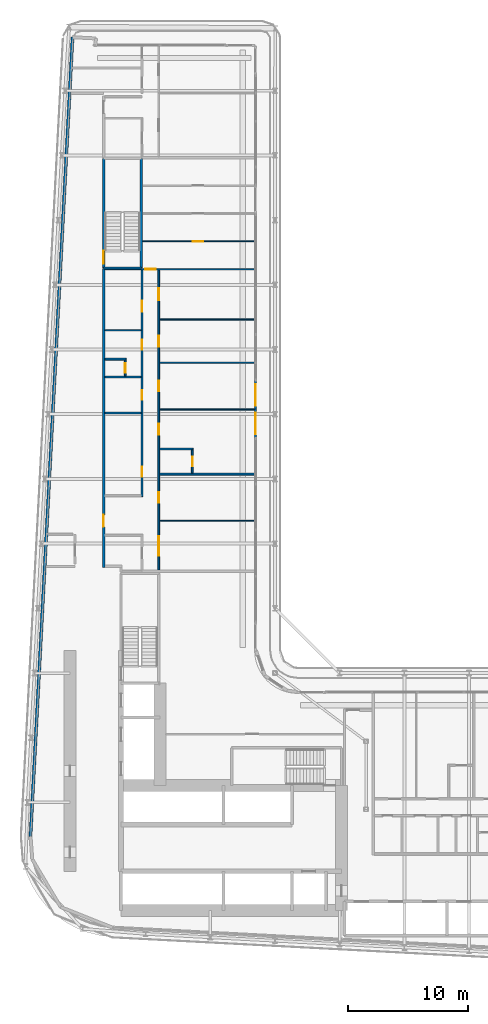
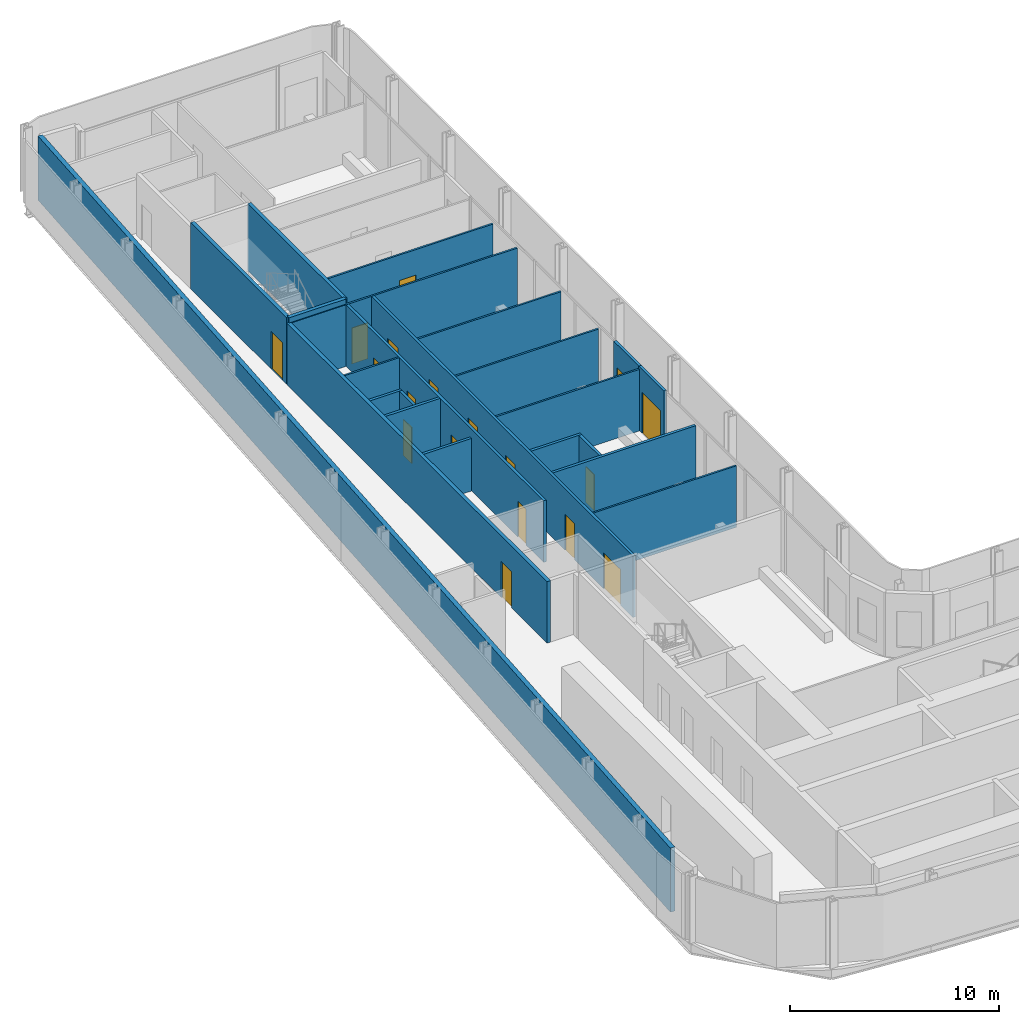
# One storey, part 18 of 29: 23 walls, 18 doors, 18 openings.
"""IFC4 building model written with IfcOpenShell, lengths in metres."""

from ifc_helpers import new_model, si_unit, direction, frame, frame_2d, origin, place, context, subcontext, project, spatial, rectangle, extrude, source, transform, mapped, material, layer, layer_set, type_object, element, fill, save


model = new_model("IFC4")

# Units and contexts
model_context = context("Model", 3, precision=1e-05, world=origin(), true_north=direction((0.0, 1.0)))
body_context = subcontext(model_context, "Body", "Model", "MODEL_VIEW")
ifc_project = project(units=[si_unit("LENGTHUNIT", "METRE"), si_unit("AREAUNIT", "SQUARE_METRE"), si_unit("VOLUMEUNIT", "CUBIC_METRE"), si_unit("PLANEANGLEUNIT", "RADIAN"), si_unit("MASSUNIT", "GRAM", prefix="KILO")], contexts=[model_context])

# Site, building, storey
site_placement = place(None, origin())
site = spatial("IfcSite", under=ifc_project, at=site_placement, CompositionType="ELEMENT")
building_placement = place(site_placement, origin())
building = spatial("IfcBuilding", under=site, at=building_placement, Name="Kheshtan School and Residences Tower", CompositionType="ELEMENT")
storey_placement = place(building_placement, frame((0.0, 0.0, 69.5)))
storey = spatial("IfcBuildingStorey", under=building, at=storey_placement, Name="L16", CompositionType="ELEMENT", Elevation=69.5)

# Wall, opening, door
ifc_material_1 = material(Name="Gypsum board on steel studs with fire boards", Category="steel")
ifc_layer_1 = layer(ifc_material_1, 0.199951171875)
ifc_layer_set_1 = layer_set([ifc_layer_1], Name="Corridor wall 200")
wall_type_1 = type_object("IfcWallType", Name="Corridor wall 200", PredefinedType="PARTITIONING", material=ifc_layer_set_1)
wall_1_placement = place(storey_placement, frame((33.300048828125, 54.39990234375, 0.0), z_axis=(0.0, 0.0, 1.0), x_axis=(0.0, 1.0, 0.0)))
wall_1 = element("IfcWall", 1, at=wall_1_placement, inside=storey, type_object=wall_type_1, Name="Partition L16-003", PredefinedType="PARTITIONING", context=body_context, shape_type="SweptSolid", body=[
    extrude(rectangle(XDim=24.9501953125, YDim=0.199951171875, at=frame_2d((12.47509765625, 0.0))), origin(), (0.0, 0.0, 1.0), 3.60009765625),
])
opening_1_placement = place(wall_1_placement, frame((3.39990234375, 0.0, 0.0)))
opening_1 = element("IfcOpeningElement", 2, at=opening_1_placement, cuts=wall_1, Name="Opening D14-039", PredefinedType="OPENING", context=body_context, shape_type="SweptSolid", body=[
    extrude(rectangle(XDim=1.0, YDim=2.10009765625, at=frame_2d((0.5, 1.050048828125))), frame((0.0, 0.10986328125, 0.0), z_axis=(0.0, -1.0, 0.0), x_axis=(1.0, 0.0, 0.0)), (0.0, 0.0, 1.0), 0.219970703125),
])
ifc_material_2 = material(Name="Steel-framed fire-resisting door leaf", Category="steel")
door_type_1 = type_object("IfcDoorType", Name="Fire door FD30S 1000 x 2100", OperationType="SINGLE_SWING_LEFT", PredefinedType="DOOR", material=ifc_material_2)
shared_shape_1 = source(origin(), body_context, "Body", "SweptSolid", [
    extrude(rectangle(XDim=1.0, YDim=2.10009765625, at=frame_2d((0.5, 1.050048828125))), frame((0.0, 0.02490234375, 0.0), z_axis=(0.0, -1.0, 0.0), x_axis=(1.0, 0.0, 0.0)), (0.0, 0.0, 1.0), 0.050048828125),
])
door_1_placement = place(opening_1_placement, origin())
door_1 = element("IfcDoor", 3, at=door_1_placement, inside=storey, type_object=door_type_1, Name="Door D14-039", OperationType="SINGLE_SWING_RIGHT", OverallHeight=2.10009765625, OverallWidth=1.0, PredefinedType="DOOR", context=body_context, shape_type="MappedRepresentation", body=[
    mapped(shared_shape_1, transform((0.0, 0.0, 0.0), x_axis=(1.0, 0.0, 0.0), y_axis=(0.0, 1.0, 0.0), z_axis=(0.0, 0.0, 1.0), scale=1.0)),
])
fill(opening_1, door_1)

# Wall
ifc_material_3 = material(Name="Concrete C40/50 with ceramic cladding and mineral wool insulation", Category="concrete")
ifc_layer_2 = layer(ifc_material_3, 0.25)
ifc_layer_set_2 = layer_set([ifc_layer_2], Name="External wall 250 ceramic clad")
wall_type_2 = type_object("IfcWallType", Name="External wall 250 ceramic clad", PredefinedType="SOLIDWALL", material=ifc_layer_set_2)
wall_2_placement = place(storey_placement, frame((27.195068359375, 31.968994140625, 0.0), z_axis=(0.0, 0.0, 1.0), x_axis=(0.052554995867, 0.998618031286, 0.0)))
element("IfcWall", 4, at=wall_2_placement, inside=storey, type_object=wall_type_2, Name="External wall L16 4", PredefinedType="SOLIDWALL", context=body_context, shape_type="SweptSolid", body=[
    extrude(rectangle(XDim=66.787353515625, YDim=0.25, at=frame_2d((33.3935546875, 0.0))), origin(), (0.0, 0.0, 1.0), 3.75),
])

# Wall, opening, door
ifc_material_4 = material(Name="Aluminium frame wall with insulated infill", Category="aluminium")
ifc_layer_3 = layer(ifc_material_4, 0.14990234375)
ifc_layer_set_3 = layer_set([ifc_layer_3], Name="Glazing frame wall 150")
wall_type_3 = type_object("IfcWallType", Name="Glazing frame wall 150", PredefinedType="SOLIDWALL", material=ifc_layer_set_3)
wall_3_placement = place(storey_placement, frame((45.97509765625, 70.01806640625, 0.0), z_axis=(0.0, 0.0, 1.0), x_axis=(0.0, -1.0, 0.0)))
wall_3 = element("IfcWall", 5, at=wall_3_placement, inside=storey, type_object=wall_type_3, Name="Balcony door wall L16 8.3", PredefinedType="SOLIDWALL", context=body_context, shape_type="SweptSolid", body=[
    extrude(rectangle(XDim=2.400146484375, YDim=0.14990234375, at=frame_2d((1.2001953125, 0.0))), origin(), (0.0, 0.0, 1.0), 3.75),
])
opening_2_placement = place(wall_3_placement, frame((0.300048828125, 0.0, 0.0)))
opening_2 = element("IfcOpeningElement", 6, at=opening_2_placement, cuts=wall_3, Name="Opening BD", PredefinedType="OPENING", context=body_context, shape_type="SweptSolid", body=[
    extrude(rectangle(XDim=1.800048828125, YDim=2.39990234375, at=frame_2d((0.89990234375, 1.199951171875))), frame((0.0, 0.0849609375, 0.0), z_axis=(0.0, -1.0, 0.0), x_axis=(1.0, 0.0, 0.0)), (0.0, 0.0, 1.0), 0.169921875),
])
ifc_material_5 = material(Name="Clear low-e glass in thermally broken aluminium frame", Category="aluminium")
door_type_2 = type_object("IfcDoorType", Name="Balcony sliding door", OperationType="SLIDING_TO_LEFT", PredefinedType="DOOR", material=ifc_material_5)
shared_shape_2 = source(origin(), body_context, "Body", "SweptSolid", [
    extrude(rectangle(XDim=1.800048828125, YDim=2.39990234375, at=frame_2d((0.89990234375, 1.199951171875))), frame((0.0, 0.02490234375, 0.0), z_axis=(0.0, -1.0, 0.0), x_axis=(1.0, 0.0, 0.0)), (0.0, 0.0, 1.0), 0.050048828125),
])
door_2_placement = place(opening_2_placement, origin())
door_2 = element("IfcDoor", 7, at=door_2_placement, inside=storey, type_object=door_type_2, Name="Balcony door L16 8.3", OperationType="SLIDING_TO_LEFT", OverallHeight=2.39990234375, OverallWidth=1.800048828125, PredefinedType="DOOR", context=body_context, shape_type="MappedRepresentation", body=[
    mapped(shared_shape_2, transform((0.0, 0.0, 0.0), x_axis=(1.0, 0.0, 0.0), y_axis=(0.0, 1.0, 0.0), z_axis=(0.0, 0.0, 1.0), scale=1.0)),
])
fill(opening_2, door_2)

wall_4_placement = place(storey_placement, frame((45.97509765625, 67.617919921875, 0.0), z_axis=(0.0, 0.0, 1.0), x_axis=(0.0, -1.0, 0.0)))
wall_4 = element("IfcWall", 8, at=wall_4_placement, inside=storey, type_object=wall_type_3, Name="Balcony door wall L16 8.4", PredefinedType="SOLIDWALL", context=body_context, shape_type="SweptSolid", body=[
    extrude(rectangle(XDim=2.39990234375, YDim=0.14990234375, at=frame_2d((1.199951171875, 0.0))), origin(), (0.0, 0.0, 1.0), 3.75),
])
opening_3_placement = place(wall_4_placement, frame((0.300048828125, 0.0, 0.0)))
opening_3 = element("IfcOpeningElement", 9, at=opening_3_placement, cuts=wall_4, Name="Opening BD", PredefinedType="OPENING", context=body_context, shape_type="SweptSolid", body=[
    extrude(rectangle(XDim=1.800048828125, YDim=2.39990234375, at=frame_2d((0.89990234375, 1.199951171875))), frame((0.0, 0.0849609375, 0.0), z_axis=(0.0, -1.0, 0.0), x_axis=(1.0, 0.0, 0.0)), (0.0, 0.0, 1.0), 0.169921875),
])
door_3_placement = place(opening_3_placement, origin())
door_3 = element("IfcDoor", 10, at=door_3_placement, inside=storey, type_object=door_type_2, Name="Balcony door L16 8.4", OperationType="SLIDING_TO_LEFT", OverallHeight=2.39990234375, OverallWidth=1.800048828125, PredefinedType="DOOR", context=body_context, shape_type="MappedRepresentation", body=[
    mapped(shared_shape_2, transform((0.0, 0.0, 0.0), x_axis=(1.0, 0.0, 0.0), y_axis=(0.0, 1.0, 0.0), z_axis=(0.0, 0.0, 1.0), scale=1.0)),
])
fill(opening_3, door_3)

# Wall
ifc_material_6 = material(Name="Gypsum board on steel studs", Category="steel")
ifc_layer_4 = layer(ifc_material_6, 0.10009765625)
ifc_layer_set_4 = layer_set([ifc_layer_4], Name="Gypsum partition 100")
wall_type_4 = type_object("IfcWallType", Name="Gypsum partition 100", PredefinedType="PARTITIONING", material=ifc_layer_set_4)
wall_5_placement = place(storey_placement, frame((33.39990234375, 74.199951171875, 0.0), z_axis=(0.0, 0.0, 1.0), x_axis=(1.0, 0.0, 0.0)))
element("IfcWall", 11, at=wall_5_placement, inside=storey, type_object=wall_type_4, Name="Partition L16-011", PredefinedType="PARTITIONING", context=body_context, shape_type="SweptSolid", body=[
    extrude(rectangle(XDim=3.025146484375, YDim=0.10009765625, at=frame_2d((1.5126953125, 0.0))), origin(), (0.0, 0.0, 1.0), 3.60009765625),
])

# Wall, opening, door
wall_6_placement = place(storey_placement, frame((33.39990234375, 79.300048828125, 0.0), z_axis=(0.0, 0.0, 1.0), x_axis=(1.0, 0.0, 0.0)))
wall_6 = element("IfcWall", 12, at=wall_6_placement, inside=storey, type_object=wall_type_4, Name="Partition L16-012", PredefinedType="PARTITIONING", context=body_context, shape_type="SweptSolid", body=[
    extrude(rectangle(XDim=12.5, YDim=0.10009765625, at=frame_2d((6.25, 0.0))), origin(), (0.0, 0.0, 1.0), 3.60009765625),
])
opening_4_placement = place(wall_6_placement, frame((3.35498046875, 0.0, 0.0)))
opening_4 = element("IfcOpeningElement", 13, at=opening_4_placement, cuts=wall_6, Name="Opening D14-047", PredefinedType="OPENING", context=body_context, shape_type="SweptSolid", body=[
    extrude(rectangle(XDim=0.89990234375, YDim=2.10009765625, at=frame_2d((0.449951171875, 1.050048828125))), frame((0.0, 0.06005859375, 0.0), z_axis=(0.0, -1.0, 0.0), x_axis=(1.0, 0.0, 0.0)), (0.0, 0.0, 1.0), 0.1201171875),
])
ifc_material_7 = material(Name="Veneered timber door leaf", Category="wood")
door_type_3 = type_object("IfcDoorType", Name="Door 900 x 2100", OperationType="SINGLE_SWING_LEFT", PredefinedType="DOOR", material=ifc_material_7)
shared_shape_3 = source(origin(), body_context, "Body", "SweptSolid", [
    extrude(rectangle(XDim=0.89990234375, YDim=2.10009765625, at=frame_2d((0.449951171875, 1.050048828125))), frame((0.0, 0.02490234375, 0.0), z_axis=(0.0, -1.0, 0.0), x_axis=(1.0, 0.0, 0.0)), (0.0, 0.0, 1.0), 0.050048828125),
])
door_4_placement = place(opening_4_placement, origin())
door_4 = element("IfcDoor", 14, at=door_4_placement, inside=storey, type_object=door_type_3, Name="Door D14-047", OperationType="SINGLE_SWING_LEFT", OverallHeight=2.10009765625, OverallWidth=0.89990234375, PredefinedType="DOOR", context=body_context, shape_type="MappedRepresentation", body=[
    mapped(shared_shape_3, transform((0.0, 0.0, 0.0), x_axis=(1.0, 0.0, 0.0), y_axis=(0.0, 1.0, 0.0), z_axis=(0.0, 0.0, 1.0), scale=1.0)),
])
fill(opening_4, door_4)

wall_7_placement = place(storey_placement, frame((36.549072265625, 81.625, 0.0), z_axis=(0.0, 0.0, 1.0), x_axis=(1.0, 0.0, 0.0)))
wall_7 = element("IfcWall", 15, at=wall_7_placement, inside=storey, type_object=wall_type_4, Name="Partition L16-024", PredefinedType="PARTITIONING", context=body_context, shape_type="SweptSolid", body=[
    extrude(rectangle(XDim=9.350830078125, YDim=0.10009765625, at=frame_2d((4.67529296875, 0.0))), origin(), (0.0, 0.0, 1.0), 3.60009765625),
])
opening_5_placement = place(wall_7_placement, frame((4.176025390625, 0.0, 0.0)))
opening_5 = element("IfcOpeningElement", 16, at=opening_5_placement, cuts=wall_7, Name="Opening D14-048", PredefinedType="OPENING", context=body_context, shape_type="SweptSolid", body=[
    extrude(rectangle(XDim=0.89990234375, YDim=2.10009765625, at=frame_2d((0.449951171875, 1.050048828125))), frame((0.0, 0.06005859375, 0.0), z_axis=(0.0, -1.0, 0.0), x_axis=(1.0, 0.0, 0.0)), (0.0, 0.0, 1.0), 0.1201171875),
])
door_5_placement = place(opening_5_placement, origin())
door_5 = element("IfcDoor", 17, at=door_5_placement, inside=storey, type_object=door_type_3, Name="Door D14-048", OperationType="SINGLE_SWING_RIGHT", OverallHeight=2.10009765625, OverallWidth=0.89990234375, PredefinedType="DOOR", context=body_context, shape_type="MappedRepresentation", body=[
    mapped(shared_shape_3, transform((0.0, 0.0, 0.0), x_axis=(1.0, 0.0, 0.0), y_axis=(0.0, 1.0, 0.0), z_axis=(0.0, 0.0, 1.0), scale=1.0)),
])
fill(opening_5, door_5)

# Walls
for number, where, z_axis, x_axis, name in (
    (18, (37.97509765625, 58.300048828125, 0.0), (0.0, 0.0, 1.0), (1.0, 0.0, 0.0), "Partition L16-030"),
    (19, (37.97509765625, 67.60009765625, 0.0), (0.0, 0.0, 1.0), (1.0, 0.0, 0.0), "Partition L16-033"),
    (20, (37.97509765625, 71.5, 0.0), (0.0, 0.0, 1.0), (1.0, 0.0, 0.0), "Partition L16-034"),
    (21, (37.97509765625, 75.10009765625, 0.0), (0.0, 0.0, 1.0), (1.0, 0.0, 0.0), "Partition L16-035"),
):
    element("IfcWall", number, at=place(storey_placement, frame(where, z_axis=z_axis, x_axis=x_axis)), inside=storey, type_object=wall_type_4, Name=name, PredefinedType="PARTITIONING", context=body_context, shape_type="SweptSolid", body=[
        extrude(rectangle(XDim=7.9248046875, YDim=0.10009765625, at=frame_2d((3.96240234375, 0.0))), origin(), (0.0, 0.0, 1.0), 3.60009765625),
    ])
ifc_material_8 = material(Name="Concrete C40/50", Category="concrete")
ifc_layer_5 = layer(ifc_material_8, 0.199951171875)
ifc_layer_set_5 = layer_set([ifc_layer_5], Name="Stair enclosure wall 200 Concrete C40/50")
wall_type_5 = type_object("IfcWallType", Name="Stair enclosure wall 200 Concrete C40/50", PredefinedType="SHEAR", material=ifc_layer_set_5)
wall_8_placement = place(storey_placement, frame((33.300048828125, 79.39990234375, 0.0), z_axis=(0.0, 0.0, 1.0), x_axis=(1.0, 0.0, 0.0)))
element("IfcWall", 22, at=wall_8_placement, inside=storey, type_object=wall_type_5, Name="Stair enclosure wall ST3", PredefinedType="SHEAR", context=body_context, shape_type="SweptSolid", body=[
    extrude(rectangle(XDim=3.14990234375, YDim=0.199951171875, at=frame_2d((1.574951171875, 0.0))), origin(), (0.0, 0.0, 1.0), 3.89990234375),
])

# Wall, opening, door
wall_9_placement = place(storey_placement, frame((33.300048828125, 79.39990234375, 0.0), z_axis=(0.0, 0.0, 1.0), x_axis=(0.0, 1.0, 0.0)))
wall_9 = element("IfcWall", 23, at=wall_9_placement, inside=storey, type_object=wall_type_5, Name="Stair enclosure wall ST3", PredefinedType="SHEAR", context=body_context, shape_type="SweptSolid", body=[
    extrude(rectangle(XDim=9.16015625, YDim=0.199951171875, at=frame_2d((4.580078125, 0.0))), origin(), (0.0, 0.0, 1.0), 3.89990234375),
])
opening_6_placement = place(wall_9_placement, frame((0.35009765625, 0.0, 0.0)))
opening_6 = element("IfcOpeningElement", 24, at=opening_6_placement, cuts=wall_9, Name="Opening ST3D", PredefinedType="OPENING", context=body_context, shape_type="SweptSolid", body=[
    extrude(rectangle(XDim=1.10009765625, YDim=2.199951171875, at=frame_2d((0.550048828125, 1.10009765625))), frame((0.0, 0.10986328125, 0.0), z_axis=(0.0, -1.0, 0.0), x_axis=(1.0, 0.0, 0.0)), (0.0, 0.0, 1.0), 0.219970703125),
])
ifc_material_9 = material(Name="Steel door leaf, galvanised", Category="steel")
door_type_4 = type_object("IfcDoorType", Name="Stair door 1100 steel 90 min", OperationType="SINGLE_SWING_LEFT", PredefinedType="DOOR", material=ifc_material_9)
shared_shape_4 = source(origin(), body_context, "Body", "SweptSolid", [
    extrude(rectangle(XDim=1.10009765625, YDim=2.199951171875, at=frame_2d((0.550048828125, 1.10009765625))), frame((0.0, 0.02490234375, 0.0), z_axis=(0.0, -1.0, 0.0), x_axis=(1.0, 0.0, 0.0)), (0.0, 0.0, 1.0), 0.050048828125),
])
door_6_placement = place(opening_6_placement, origin())
door_6 = element("IfcDoor", 25, at=door_6_placement, inside=storey, type_object=door_type_4, Name="Stair ST3 door", OperationType="SINGLE_SWING_RIGHT", OverallHeight=2.199951171875, OverallWidth=1.10009765625, PredefinedType="DOOR", context=body_context, shape_type="MappedRepresentation", body=[
    mapped(shared_shape_4, transform((0.0, 0.0, 0.0), x_axis=(1.0, 0.0, 0.0), y_axis=(0.0, 1.0, 0.0), z_axis=(0.0, 0.0, 1.0), scale=1.0)),
])
fill(opening_6, door_6)

# Walls
wall_10_placement = place(storey_placement, frame((36.449951171875, 79.39990234375, 0.0), z_axis=(0.0, 0.0, 1.0), x_axis=(0.0, 1.0, 0.0)))
element("IfcWall", 26, at=wall_10_placement, inside=storey, type_object=wall_type_5, Name="Stair enclosure wall ST3", PredefinedType="SHEAR", context=body_context, shape_type="SweptSolid", body=[
    extrude(rectangle(XDim=9.16015625, YDim=0.199951171875, at=frame_2d((4.580078125, 0.0))), origin(), (0.0, 0.0, 1.0), 3.89990234375),
])
ifc_material_10 = material(Name="Moisture-resistant gypsum board on steel studs", Category="steel")
ifc_layer_6 = layer(ifc_material_10, 0.14990234375)
ifc_layer_set_6 = layer_set([ifc_layer_6], Name="Wet-room partition 150")
wall_type_6 = type_object("IfcWallType", Name="Wet-room partition 150", PredefinedType="PARTITIONING", material=ifc_layer_set_6)
wall_11_placement = place(storey_placement, frame((33.39990234375, 67.300048828125, 0.0), z_axis=(0.0, 0.0, 1.0), x_axis=(1.0, 0.0, 0.0)))
element("IfcWall", 27, at=wall_11_placement, inside=storey, type_object=wall_type_6, Name="Partition L16-008", PredefinedType="PARTITIONING", context=body_context, shape_type="SweptSolid", body=[
    extrude(rectangle(XDim=3.025146484375, YDim=0.14990234375, at=frame_2d((1.5126953125, 0.0))), origin(), (0.0, 0.0, 1.0), 3.072021484375),
])
wall_12_placement = place(storey_placement, frame((33.39990234375, 70.300048828125, 0.0), z_axis=(0.0, 0.0, 1.0), x_axis=(1.0, 0.0, 0.0)))
element("IfcWall", 28, at=wall_12_placement, inside=storey, type_object=wall_type_6, Name="Partition L16-009", PredefinedType="PARTITIONING", context=body_context, shape_type="SweptSolid", body=[
    extrude(rectangle(XDim=3.025146484375, YDim=0.14990234375, at=frame_2d((1.5126953125, 0.0))), origin(), (0.0, 0.0, 1.0), 3.60009765625),
])
wall_13_placement = place(storey_placement, frame((33.39990234375, 71.800048828125, 0.0), z_axis=(0.0, 0.0, 1.0), x_axis=(1.0, 0.0, 0.0)))
element("IfcWall", 29, at=wall_13_placement, inside=storey, type_object=wall_type_6, Name="Partition L16-010", PredefinedType="PARTITIONING", context=body_context, shape_type="SweptSolid", body=[
    extrude(rectangle(XDim=1.775146484375, YDim=0.14990234375, at=frame_2d((0.8876953125, 0.0))), origin(), (0.0, 0.0, 1.0), 3.60009765625),
])

# Wall, opening, door
wall_14_placement = place(storey_placement, frame((35.10009765625, 70.375, 0.0), z_axis=(0.0, 0.0, 1.0), x_axis=(0.0, 1.0, 0.0)))
wall_14 = element("IfcWall", 30, at=wall_14_placement, inside=storey, type_object=wall_type_6, Name="Partition L16-017", PredefinedType="PARTITIONING", context=body_context, shape_type="SweptSolid", body=[
    extrude(rectangle(XDim=1.35009765625, YDim=0.14990234375, at=frame_2d((0.675048828125, 0.0))), origin(), (0.0, 0.0, 1.0), 3.60009765625),
])
opening_7_placement = place(wall_14_placement, frame((0.27490234375, 0.0, 0.0)))
opening_7 = element("IfcOpeningElement", 31, at=opening_7_placement, cuts=wall_14, Name="Opening D14-043", PredefinedType="OPENING", context=body_context, shape_type="SweptSolid", body=[
    extrude(rectangle(XDim=0.800048828125, YDim=2.10009765625, at=frame_2d((0.39990234375, 1.050048828125))), frame((0.0, 0.0849609375, 0.0), z_axis=(0.0, -1.0, 0.0), x_axis=(1.0, 0.0, 0.0)), (0.0, 0.0, 1.0), 0.169921875),
])
door_type_5 = type_object("IfcDoorType", Name="Door 800 x 2100", OperationType="SINGLE_SWING_LEFT", PredefinedType="DOOR", material=ifc_material_7)
shared_shape_5 = source(origin(), body_context, "Body", "SweptSolid", [
    extrude(rectangle(XDim=0.800048828125, YDim=2.10009765625, at=frame_2d((0.39990234375, 1.050048828125))), frame((0.0, 0.02490234375, 0.0), z_axis=(0.0, -1.0, 0.0), x_axis=(1.0, 0.0, 0.0)), (0.0, 0.0, 1.0), 0.050048828125),
])
door_7_placement = place(opening_7_placement, origin())
door_7 = element("IfcDoor", 32, at=door_7_placement, inside=storey, type_object=door_type_5, Name="Door D14-043", OperationType="SINGLE_SWING_LEFT", OverallHeight=2.10009765625, OverallWidth=0.800048828125, PredefinedType="DOOR", context=body_context, shape_type="MappedRepresentation", body=[
    mapped(shared_shape_5, transform((0.0, 0.0, 0.0), x_axis=(1.0, 0.0, 0.0), y_axis=(0.0, 1.0, 0.0), z_axis=(0.0, 0.0, 1.0), scale=1.0)),
])
fill(opening_7, door_7)

# Wall, openings, doors
wall_15_placement = place(storey_placement, frame((36.5, 60.324951171875, 0.0), z_axis=(0.0, 0.0, 1.0), x_axis=(0.0, 1.0, 0.0)))
wall_15 = element("IfcWall", 33, at=wall_15_placement, inside=storey, type_object=wall_type_6, Name="Partition L16-021", PredefinedType="PARTITIONING", context=body_context, shape_type="SweptSolid", body=[
    extrude(rectangle(XDim=18.925048828125, YDim=0.14990234375, at=frame_2d((9.46240234375, 0.0))), origin(), (0.0, 0.0, 1.0), 3.60009765625),
])
opening_8_placement = place(wall_15_placement, frame((8.074951171875, 0.0, 0.0)))
opening_8 = element("IfcOpeningElement", 34, at=opening_8_placement, cuts=wall_15, Name="Opening D14-034", PredefinedType="OPENING", context=body_context, shape_type="SweptSolid", body=[
    extrude(rectangle(XDim=0.800048828125, YDim=2.10009765625, at=frame_2d((0.39990234375, 1.050048828125))), frame((0.0, 0.0849609375, 0.0), z_axis=(0.0, -1.0, 0.0), x_axis=(1.0, 0.0, 0.0)), (0.0, 0.0, 1.0), 0.169921875),
])
opening_9_placement = place(wall_15_placement, frame((15.425048828125, 0.0, 0.0)))
opening_9 = element("IfcOpeningElement", 35, at=opening_9_placement, cuts=wall_15, Name="Opening D14-040", PredefinedType="OPENING", context=body_context, shape_type="SweptSolid", body=[
    extrude(rectangle(XDim=0.89990234375, YDim=2.10009765625, at=frame_2d((0.449951171875, 1.050048828125))), frame((0.0, 0.0849609375, 0.0), z_axis=(0.0, -1.0, 0.0), x_axis=(1.0, 0.0, 0.0)), (0.0, 0.0, 1.0), 0.169921875),
])
opening_10_placement = place(wall_15_placement, frame((12.27490234375, 0.0, 0.0)))
opening_10 = element("IfcOpeningElement", 36, at=opening_10_placement, cuts=wall_15, Name="Opening D14-042", PredefinedType="OPENING", context=body_context, shape_type="SweptSolid", body=[
    extrude(rectangle(XDim=0.800048828125, YDim=2.10009765625, at=frame_2d((0.39990234375, 1.050048828125))), frame((0.0, 0.0849609375, 0.0), z_axis=(0.0, -1.0, 0.0), x_axis=(1.0, 0.0, 0.0)), (0.0, 0.0, 1.0), 0.169921875),
])
opening_11_placement = place(wall_15_placement, frame((1.675048828125, 0.0, 0.0)))
opening_11 = element("IfcOpeningElement", 37, at=opening_11_placement, cuts=wall_15, Name="Opening D14-046", PredefinedType="OPENING", context=body_context, shape_type="SweptSolid", body=[
    extrude(rectangle(XDim=0.800048828125, YDim=2.10009765625, at=frame_2d((0.39990234375, 1.050048828125))), frame((0.0, 0.0849609375, 0.0), z_axis=(0.0, -1.0, 0.0), x_axis=(1.0, 0.0, 0.0)), (0.0, 0.0, 1.0), 0.169921875),
])
door_8_placement = place(opening_8_placement, origin())
door_8 = element("IfcDoor", 38, at=door_8_placement, inside=storey, type_object=door_type_5, Name="Door D14-034", OperationType="SINGLE_SWING_LEFT", OverallHeight=2.10009765625, OverallWidth=0.800048828125, PredefinedType="DOOR", context=body_context, shape_type="MappedRepresentation", body=[
    mapped(shared_shape_5, transform((0.0, 0.0, 0.0), x_axis=(1.0, 0.0, 0.0), y_axis=(0.0, 1.0, 0.0), z_axis=(0.0, 0.0, 1.0), scale=1.0)),
])
fill(opening_8, door_8)
door_9_placement = place(opening_10_placement, origin())
door_9 = element("IfcDoor", 39, at=door_9_placement, inside=storey, type_object=door_type_5, Name="Door D14-042", OperationType="SINGLE_SWING_RIGHT", OverallHeight=2.10009765625, OverallWidth=0.800048828125, PredefinedType="DOOR", context=body_context, shape_type="MappedRepresentation", body=[
    mapped(shared_shape_5, transform((0.0, 0.0, 0.0), x_axis=(1.0, 0.0, 0.0), y_axis=(0.0, 1.0, 0.0), z_axis=(0.0, 0.0, 1.0), scale=1.0)),
])
fill(opening_10, door_9)
door_10_placement = place(opening_11_placement, origin())
door_10 = element("IfcDoor", 40, at=door_10_placement, inside=storey, type_object=door_type_5, Name="Door D14-046", OperationType="SINGLE_SWING_LEFT", OverallHeight=2.10009765625, OverallWidth=0.800048828125, PredefinedType="DOOR", context=body_context, shape_type="MappedRepresentation", body=[
    mapped(shared_shape_5, transform((0.0, 0.0, 0.0), x_axis=(1.0, 0.0, 0.0), y_axis=(0.0, 1.0, 0.0), z_axis=(0.0, 0.0, 1.0), scale=1.0)),
])
fill(opening_11, door_10)
door_11_placement = place(opening_9_placement, origin())
door_11 = element("IfcDoor", 41, at=door_11_placement, inside=storey, type_object=door_type_3, Name="Door D14-040", OperationType="SINGLE_SWING_RIGHT", OverallHeight=2.10009765625, OverallWidth=0.89990234375, PredefinedType="DOOR", context=body_context, shape_type="MappedRepresentation", body=[
    mapped(shared_shape_3, transform((0.0, 0.0, 0.0), x_axis=(1.0, 0.0, 0.0), y_axis=(0.0, 1.0, 0.0), z_axis=(0.0, 0.0, 1.0), scale=1.0)),
])
fill(opening_9, door_11)

wall_16_placement = place(storey_placement, frame((37.89990234375, 54.199951171875, 0.0), z_axis=(0.0, 0.0, 1.0), x_axis=(0.0, 1.0, 0.0)))
wall_16 = element("IfcWall", 42, at=wall_16_placement, inside=storey, type_object=wall_type_6, Name="Partition L16-027", PredefinedType="PARTITIONING", context=body_context, shape_type="SweptSolid", body=[
    extrude(rectangle(XDim=25.050048828125, YDim=0.14990234375, at=frame_2d((12.52490234375, 0.0))), origin(), (0.0, 0.0, 1.0), 3.60009765625),
])
opening_12_placement = place(wall_16_placement, frame((5.60009765625, 0.0, 0.0)))
opening_12 = element("IfcOpeningElement", 43, at=opening_12_placement, cuts=wall_16, Name="Opening D14-035", PredefinedType="OPENING", context=body_context, shape_type="SweptSolid", body=[
    extrude(rectangle(XDim=0.89990234375, YDim=2.10009765625, at=frame_2d((0.449951171875, 1.050048828125))), frame((0.0, 0.0849609375, 0.0), z_axis=(0.0, -1.0, 0.0), x_axis=(1.0, 0.0, 0.0)), (0.0, 0.0, 1.0), 0.169921875),
])
opening_13_placement = place(wall_16_placement, frame((14.89990234375, 0.0, 0.0)))
opening_13 = element("IfcOpeningElement", 44, at=opening_13_placement, cuts=wall_16, Name="Opening D14-036", PredefinedType="OPENING", context=body_context, shape_type="SweptSolid", body=[
    extrude(rectangle(XDim=0.89990234375, YDim=2.10009765625, at=frame_2d((0.449951171875, 1.050048828125))), frame((0.0, 0.0849609375, 0.0), z_axis=(0.0, -1.0, 0.0), x_axis=(1.0, 0.0, 0.0)), (0.0, 0.0, 1.0), 0.169921875),
])
opening_14_placement = place(wall_16_placement, frame((18.64990234375, 0.0, 0.0)))
opening_14 = element("IfcOpeningElement", 45, at=opening_14_placement, cuts=wall_16, Name="Opening D14-037", PredefinedType="OPENING", context=body_context, shape_type="SweptSolid", body=[
    extrude(rectangle(XDim=0.89990234375, YDim=2.10009765625, at=frame_2d((0.449951171875, 1.050048828125))), frame((0.0, 0.0849609375, 0.0), z_axis=(0.0, -1.0, 0.0), x_axis=(1.0, 0.0, 0.0)), (0.0, 0.0, 1.0), 0.169921875),
])
opening_15_placement = place(wall_16_placement, frame((22.5, 0.0, 0.0)))
opening_15 = element("IfcOpeningElement", 46, at=opening_15_placement, cuts=wall_16, Name="Opening D14-041", PredefinedType="OPENING", context=body_context, shape_type="SweptSolid", body=[
    extrude(rectangle(XDim=1.0, YDim=2.10009765625, at=frame_2d((0.5, 1.050048828125))), frame((0.0, 0.0849609375, 0.0), z_axis=(0.0, -1.0, 0.0), x_axis=(1.0, 0.0, 0.0)), (0.0, 0.0, 1.0), 0.169921875),
])
opening_16_placement = place(wall_16_placement, frame((1.199951171875, 0.0, 0.0)))
opening_16 = element("IfcOpeningElement", 47, at=opening_16_placement, cuts=wall_16, Name="Opening D14-044", PredefinedType="OPENING", context=body_context, shape_type="SweptSolid", body=[
    extrude(rectangle(XDim=1.60009765625, YDim=2.10009765625, at=frame_2d((0.800048828125, 1.050048828125))), frame((0.0, 0.0849609375, 0.0), z_axis=(0.0, -1.0, 0.0), x_axis=(1.0, 0.0, 0.0)), (0.0, 0.0, 1.0), 0.169921875),
])
opening_17_placement = place(wall_16_placement, frame((11.300048828125, 0.0, 0.0)))
opening_17 = element("IfcOpeningElement", 48, at=opening_17_placement, cuts=wall_16, Name="Opening D14-045", PredefinedType="OPENING", context=body_context, shape_type="SweptSolid", body=[
    extrude(rectangle(XDim=0.89990234375, YDim=2.10009765625, at=frame_2d((0.449951171875, 1.050048828125))), frame((0.0, 0.0849609375, 0.0), z_axis=(0.0, -1.0, 0.0), x_axis=(1.0, 0.0, 0.0)), (0.0, 0.0, 1.0), 0.169921875),
])
door_type_6 = type_object("IfcDoorType", Name="Door 1000 x 2100", OperationType="SINGLE_SWING_LEFT", PredefinedType="DOOR", material=ifc_material_7)
shared_shape_6 = source(origin(), body_context, "Body", "SweptSolid", [
    extrude(rectangle(XDim=1.0, YDim=2.10009765625, at=frame_2d((0.5, 1.050048828125))), frame((0.0, 0.02490234375, 0.0), z_axis=(0.0, -1.0, 0.0), x_axis=(1.0, 0.0, 0.0)), (0.0, 0.0, 1.0), 0.050048828125),
])
door_12_placement = place(opening_15_placement, origin())
door_12 = element("IfcDoor", 49, at=door_12_placement, inside=storey, type_object=door_type_6, Name="Door D14-041", OperationType="SINGLE_SWING_RIGHT", OverallHeight=2.10009765625, OverallWidth=1.0, PredefinedType="DOOR", context=body_context, shape_type="MappedRepresentation", body=[
    mapped(shared_shape_6, transform((0.0, 0.0, 0.0), x_axis=(1.0, 0.0, 0.0), y_axis=(0.0, 1.0, 0.0), z_axis=(0.0, 0.0, 1.0), scale=1.0)),
])
fill(opening_15, door_12)
door_13_placement = place(opening_12_placement, origin())
door_13 = element("IfcDoor", 50, at=door_13_placement, inside=storey, type_object=door_type_3, Name="Door D14-035", OperationType="SINGLE_SWING_LEFT", OverallHeight=2.10009765625, OverallWidth=0.89990234375, PredefinedType="DOOR", context=body_context, shape_type="MappedRepresentation", body=[
    mapped(shared_shape_3, transform((0.0, 0.0, 0.0), x_axis=(1.0, 0.0, 0.0), y_axis=(0.0, 1.0, 0.0), z_axis=(0.0, 0.0, 1.0), scale=1.0)),
])
fill(opening_12, door_13)
door_14_placement = place(opening_13_placement, origin())
door_14 = element("IfcDoor", 51, at=door_14_placement, inside=storey, type_object=door_type_3, Name="Door D14-036", OperationType="SINGLE_SWING_RIGHT", OverallHeight=2.10009765625, OverallWidth=0.89990234375, PredefinedType="DOOR", context=body_context, shape_type="MappedRepresentation", body=[
    mapped(shared_shape_3, transform((0.0, 0.0, 0.0), x_axis=(1.0, 0.0, 0.0), y_axis=(0.0, 1.0, 0.0), z_axis=(0.0, 0.0, 1.0), scale=1.0)),
])
fill(opening_13, door_14)
door_15_placement = place(opening_14_placement, origin())
door_15 = element("IfcDoor", 52, at=door_15_placement, inside=storey, type_object=door_type_3, Name="Door D14-037", OperationType="SINGLE_SWING_LEFT", OverallHeight=2.10009765625, OverallWidth=0.89990234375, PredefinedType="DOOR", context=body_context, shape_type="MappedRepresentation", body=[
    mapped(shared_shape_3, transform((0.0, 0.0, 0.0), x_axis=(1.0, 0.0, 0.0), y_axis=(0.0, 1.0, 0.0), z_axis=(0.0, 0.0, 1.0), scale=1.0)),
])
fill(opening_14, door_15)
door_16_placement = place(opening_17_placement, origin())
door_16 = element("IfcDoor", 53, at=door_16_placement, inside=storey, type_object=door_type_3, Name="Door D14-045", OperationType="SINGLE_SWING_RIGHT", OverallHeight=2.10009765625, OverallWidth=0.89990234375, PredefinedType="DOOR", context=body_context, shape_type="MappedRepresentation", body=[
    mapped(shared_shape_3, transform((0.0, 0.0, 0.0), x_axis=(1.0, 0.0, 0.0), y_axis=(0.0, 1.0, 0.0), z_axis=(0.0, 0.0, 1.0), scale=1.0)),
])
fill(opening_17, door_16)
door_type_7 = type_object("IfcDoorType", Name="Double door 1600 x 2100", OperationType="DOUBLE_DOOR_SINGLE_SWING", PredefinedType="DOOR", material=ifc_material_7)
shared_shape_7 = source(origin(), body_context, "Body", "SweptSolid", [
    extrude(rectangle(XDim=1.60009765625, YDim=2.10009765625, at=frame_2d((0.800048828125, 1.050048828125))), frame((0.0, 0.02490234375, 0.0), z_axis=(0.0, -1.0, 0.0), x_axis=(1.0, 0.0, 0.0)), (0.0, 0.0, 1.0), 0.050048828125),
])
door_17_placement = place(opening_16_placement, origin())
door_17 = element("IfcDoor", 54, at=door_17_placement, inside=storey, type_object=door_type_7, Name="Door D14-044", OperationType="DOUBLE_DOOR_SINGLE_SWING", OverallHeight=2.10009765625, OverallWidth=1.60009765625, PredefinedType="DOOR", context=body_context, shape_type="MappedRepresentation", body=[
    mapped(shared_shape_7, transform((0.0, 0.0, 0.0), x_axis=(1.0, 0.0, 0.0), y_axis=(0.0, 1.0, 0.0), z_axis=(0.0, 0.0, 1.0), scale=1.0)),
])
fill(opening_16, door_17)

# Walls
wall_17_placement = place(storey_placement, frame((37.97509765625, 62.199951171875, 0.0), z_axis=(0.0, 0.0, 1.0), x_axis=(1.0, 0.0, 0.0)))
element("IfcWall", 55, at=wall_17_placement, inside=storey, type_object=wall_type_6, Name="Partition L16-031", PredefinedType="PARTITIONING", context=body_context, shape_type="SweptSolid", body=[
    extrude(rectangle(XDim=7.9248046875, YDim=0.14990234375, at=frame_2d((3.96240234375, 0.0))), origin(), (0.0, 0.0, 1.0), 3.60009765625),
])
wall_18_placement = place(storey_placement, frame((37.97509765625, 64.300048828125, 0.0), z_axis=(0.0, 0.0, 1.0), x_axis=(1.0, 0.0, 0.0)))
element("IfcWall", 56, at=wall_18_placement, inside=storey, type_object=wall_type_6, Name="Partition L16-032", PredefinedType="PARTITIONING", context=body_context, shape_type="SweptSolid", body=[
    extrude(rectangle(XDim=2.7998046875, YDim=0.14990234375, at=frame_2d((1.39990234375, 0.0))), origin(), (0.0, 0.0, 1.0), 3.60009765625),
])

# Wall, opening, door
wall_19_placement = place(storey_placement, frame((40.699951171875, 62.27490234375, 0.0), z_axis=(0.0, 0.0, 1.0), x_axis=(0.0, 1.0, 0.0)))
wall_19 = element("IfcWall", 57, at=wall_19_placement, inside=storey, type_object=wall_type_6, Name="Partition L16-037", PredefinedType="PARTITIONING", context=body_context, shape_type="SweptSolid", body=[
    extrude(rectangle(XDim=1.9501953125, YDim=0.14990234375, at=frame_2d((0.97509765625, 0.0))), origin(), (0.0, 0.0, 1.0), 3.60009765625),
])
opening_18_placement = place(wall_19_placement, frame((0.574951171875, 0.0, 0.0)))
opening_18 = element("IfcOpeningElement", 58, at=opening_18_placement, cuts=wall_19, Name="Opening D14-038", PredefinedType="OPENING", context=body_context, shape_type="SweptSolid", body=[
    extrude(rectangle(XDim=0.800048828125, YDim=2.10009765625, at=frame_2d((0.39990234375, 1.050048828125))), frame((0.0, 0.0849609375, 0.0), z_axis=(0.0, -1.0, 0.0), x_axis=(1.0, 0.0, 0.0)), (0.0, 0.0, 1.0), 0.169921875),
])
door_18_placement = place(opening_18_placement, origin())
door_18 = element("IfcDoor", 59, at=door_18_placement, inside=storey, type_object=door_type_5, Name="Door D14-038", OperationType="SINGLE_SWING_RIGHT", OverallHeight=2.10009765625, OverallWidth=0.800048828125, PredefinedType="DOOR", context=body_context, shape_type="MappedRepresentation", body=[
    mapped(shared_shape_5, transform((0.0, 0.0, 0.0), x_axis=(1.0, 0.0, 0.0), y_axis=(0.0, 1.0, 0.0), z_axis=(0.0, 0.0, 1.0), scale=1.0)),
])
fill(opening_18, door_18)

save(model, "model.ifc")
